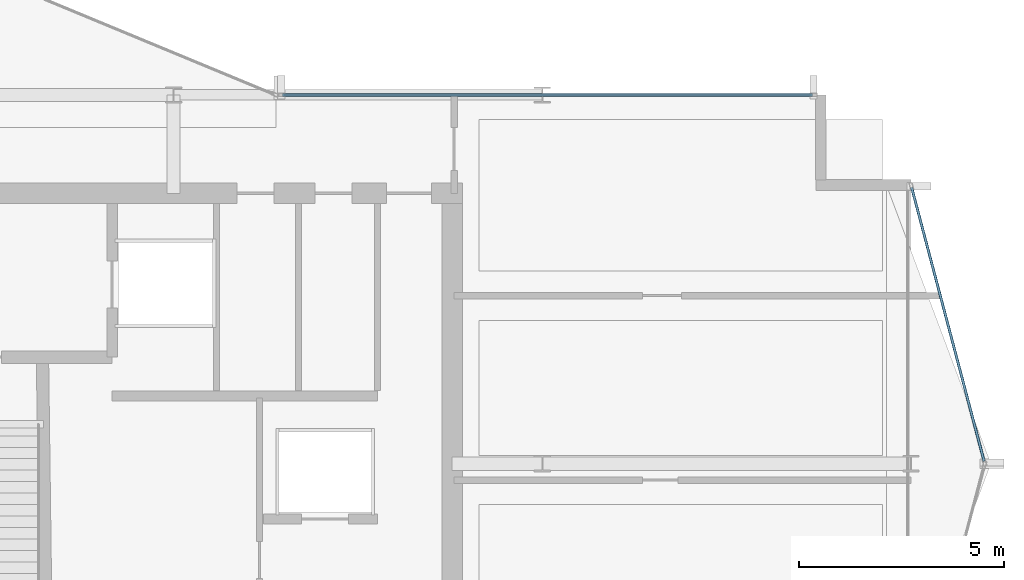
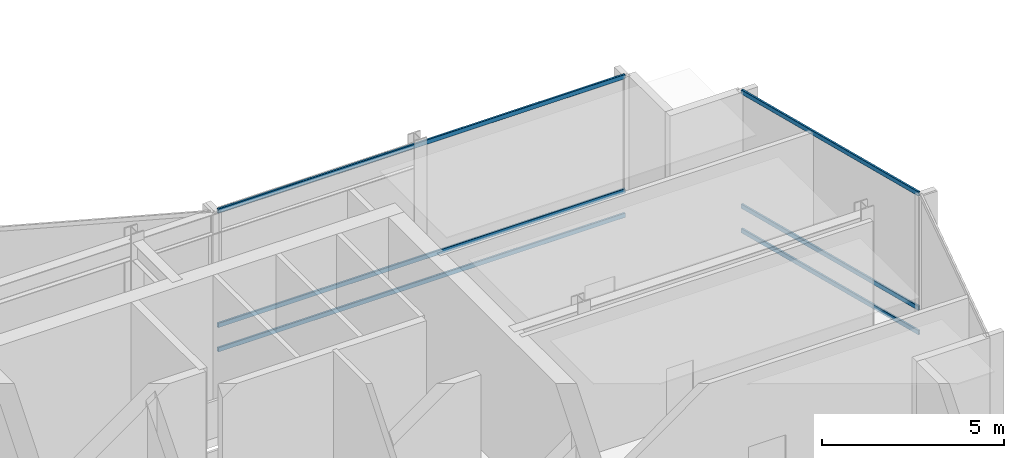
# One storey, part 13 of 28: 6 members, 2 elements without a shape of their own.
"""IFC4 building model written with IfcOpenShell, lengths in metres."""

import ifcopenshell
import ifcopenshell.guid

model = None  # the IFC model being written
_history = None  # IfcOwnerHistory: only IFC2X3 demands one
_inside = {}  # id of a spatial element -> (the spatial element, [elements in it])
_under = {}  # id of a project, library or spatial element -> (it, [spatial elements below it])
_declared = {}  # id of a project -> (the project, [libraries it declares])
_typed = {}  # id of a type object -> (the type object, [elements of that type])
_made_of = {}  # id of a material, layer set ... -> (it, [elements and type objects made of it])


def new_model(schema):
    """Start an empty IFC model of exactly this schema.

    Asked for "IFC4X3", IfcOpenShell would pick the latest addendum, in which some entities
    have other attributes; the version numbers below select the first issue.
    IFC2X3 requires an IfcOwnerHistory on every rooted entity: one is made here for all.
    """
    global model, _history
    if schema == "IFC4X3":
        model = ifcopenshell.file(schema_version=(4, 3, 0, 0))
    else:
        model = ifcopenshell.file(schema=schema)
    _inside.clear()
    _under.clear()
    _declared.clear()
    _typed.clear()
    _made_of.clear()
    _history = None
    if model.schema == "IFC2X3":
        org = make("IfcOrganization", Name="unknown")
        user = make(
            "IfcPersonAndOrganization",
            ThePerson=make("IfcPerson", FamilyName="unknown"),
            TheOrganization=org,
        )
        app = make(
            "IfcApplication",
            ApplicationDeveloper=org,
            Version="unknown",
            ApplicationFullName="unknown",
            ApplicationIdentifier="unknown",
        )
        _history = make(
            "IfcOwnerHistory",
            OwningUser=user,
            OwningApplication=app,
            ChangeAction="ADDED",
            CreationDate=0,
        )
    return model


def make(cls, **values):
    """One entity of the class cls with the attributes given. An attribute that is None is left unset."""
    return model.create_entity(
        cls, **{name: value for name, value in values.items() if value is not None}
    )


def rooted(cls, **values):
    """An entity with a GlobalId (a new one), such as an element, a storey or a relation."""
    return make(cls, GlobalId=ifcopenshell.guid.new(), OwnerHistory=_history, **values)


def si_unit(unit_type, name, prefix=None):
    """IfcSIUnit, for example si_unit("LENGTHUNIT", "METRE", prefix="MILLI")."""
    return make("IfcSIUnit", UnitType=unit_type, Prefix=prefix, Name=name)


def assignment(units):
    """IfcUnitAssignment: the units of a project."""
    return None if units is None else make("IfcUnitAssignment", Units=units)


def point(xyz):
    """IfcCartesianPoint."""
    return None if xyz is None else make("IfcCartesianPoint", Coordinates=xyz)


def direction(xyz):
    """IfcDirection."""
    return None if xyz is None else make("IfcDirection", DirectionRatios=xyz)


def frame(location, z_axis=None, x_axis=None):
    """IfcAxis2Placement3D, a coordinate frame: its origin and axes. An axis left out is left unset."""
    return make(
        "IfcAxis2Placement3D",
        Location=point(location),
        Axis=direction(z_axis),
        RefDirection=direction(x_axis),
    )


def frame_2d(location, x_axis=None):
    """IfcAxis2Placement2D, a coordinate frame in the plane: its origin and x axis."""
    return make(
        "IfcAxis2Placement2D", Location=point(location), RefDirection=direction(x_axis)
    )


def origin():
    """The frame at (0, 0, 0) with its axes left unset."""
    return frame((0.0, 0.0, 0.0))


def origin_2d():
    """The frame at (0, 0) in the plane with its x axis left unset."""
    return frame_2d((0.0, 0.0))


def place(relative_to, where):
    """IfcLocalPlacement: puts the frame where relative to a parent placement (None: the world)."""
    return make(
        "IfcLocalPlacement", PlacementRelTo=relative_to, RelativePlacement=where
    )


def context(
    kind, dimensions, precision=None, world=None, true_north=None, identifier=None
):
    """IfcGeometricRepresentationContext, for example the 3D "Model" context."""
    return make(
        "IfcGeometricRepresentationContext",
        ContextIdentifier=identifier,
        ContextType=kind,
        CoordinateSpaceDimension=dimensions,
        Precision=precision,
        WorldCoordinateSystem=world,
        TrueNorth=true_north,
    )


def subcontext(parent, identifier, kind, view, scale=None):
    """IfcGeometricRepresentationSubContext, for example "Body" below "Model"."""
    return make(
        "IfcGeometricRepresentationSubContext",
        ContextIdentifier=identifier,
        ContextType=kind,
        ParentContext=parent,
        TargetScale=scale,
        TargetView=view,
    )


def project(units=None, contexts=None):
    """IfcProject with its units and contexts."""
    return rooted(
        "IfcProject",
        Name="project",
        RepresentationContexts=contexts,
        UnitsInContext=assignment(units),
    )


def spatial(cls, under=None, at=None, **own):
    """A site, building, storey or space (cls), placed at a placement, below another one or the project."""
    s = rooted(cls, ObjectPlacement=at, **own)
    if under is not None:
        _under.setdefault(under.id(), (under, []))[1].append(s)
    return s


def profile(cls, at=None, kind="AREA", **sizes):
    """A parametric profile (cls). Its sizes go by their IFC names, for example OverallWidth=200.0."""
    return make(cls, ProfileType=kind, Position=at, **sizes)


def hollow_rectangle(**sizes):
    """IfcRectangleHollowProfileDef."""
    return profile("IfcRectangleHollowProfileDef", **sizes)


def extrude(swept, where, along, depth):
    """IfcExtrudedAreaSolid: the profile swept, set in the frame where, extruded along a direction by depth."""
    return make(
        "IfcExtrudedAreaSolid",
        SweptArea=swept,
        Position=where,
        ExtrudedDirection=direction(along),
        Depth=depth,
    )


def shape(context_of_items, identifier, shape_type, items):
    """IfcShapeRepresentation: the items that make up one representation, for example the "Body"."""
    return make(
        "IfcShapeRepresentation",
        ContextOfItems=context_of_items,
        RepresentationIdentifier=identifier,
        RepresentationType=shape_type,
        Items=items,
    )


def material(Name=None, Category=None):
    """IfcMaterial."""
    return make("IfcMaterial", Name=Name, Category=Category)


def layer(
    of_material, thickness, ventilated=None, Name=None, Category=None, Priority=None
):
    """IfcMaterialLayer: one layer of a wall or slab, of a material (None: an air gap)."""
    return make(
        "IfcMaterialLayer",
        Material=of_material,
        LayerThickness=thickness,
        IsVentilated=ventilated,
        Name=Name,
        Category=Category,
        Priority=Priority,
    )


def layer_set(layers, Name=None):
    """IfcMaterialLayerSet."""
    return make("IfcMaterialLayerSet", MaterialLayers=layers, LayerSetName=Name)


def material_profile(
    of_material, cross_section, Name=None, Category=None, Priority=None
):
    """IfcMaterialProfile: a cross section and its material."""
    return make(
        "IfcMaterialProfile",
        Name=Name,
        Material=of_material,
        Profile=cross_section,
        Priority=Priority,
        Category=Category,
    )


def profile_set(profiles, Name=None, composite=None):
    """IfcMaterialProfileSet."""
    return make(
        "IfcMaterialProfileSet",
        Name=Name,
        MaterialProfiles=profiles,
        CompositeProfile=composite,
    )


def made_of(thing, what):
    """Note that an element or type object is made of a material, layer set ...; save() writes the relation."""
    if what is not None:
        _made_of.setdefault(what.id(), (what, []))[1].append(thing)
    return thing


def type_object(cls, material=None, **own):
    """A type object (cls), such as IfcWallType, which elements share."""
    return made_of(rooted(cls, **own), material)


def element(
    cls,
    number,
    at=None,
    inside=None,
    cuts=None,
    type_object=None,
    material=None,
    context=None,
    identifier="Body",
    shape_type=None,
    held_by="IfcProductDefinitionShape",
    body=None,
    shapes=None,
    **own,
):
    """One element of the class cls, such as IfcWall. Its Tag is "e" and its number.

    at: its placement. inside: the storey or other place that contains it. cuts: it is an
    opening in that element (IfcRelVoidsElement). A single representation is given by context,
    identifier, shape_type and body (its items); several are given by shapes. held_by: the class
    of the entity that holds the representations. save() writes the other relations.
    """
    e = rooted(cls, Tag="e%d" % number, ObjectPlacement=at, **own)
    if body is not None:
        shapes = [shape(context, identifier, shape_type, body)]
    if shapes is not None:
        e.Representation = make(held_by, Representations=shapes)
    if inside is not None:
        _inside.setdefault(inside.id(), (inside, []))[1].append(e)
    if cuts is not None:
        rooted(
            "IfcRelVoidsElement", RelatingBuildingElement=cuts, RelatedOpeningElement=e
        )
    if type_object is not None:
        _typed.setdefault(type_object.id(), (type_object, []))[1].append(e)
    return made_of(e, material)


def aggregate(whole, parts):
    """IfcRelAggregates: a whole, such as a stair, and the parts it consists of."""
    return rooted("IfcRelAggregates", RelatingObject=whole, RelatedObjects=parts)


def save(model, path):
    """Write the relations noted so far, then the file.

    IfcRelAggregates (storeys below a building ...), IfcRelContainedInSpatialStructure (elements
    in a storey), IfcRelDefinesByType, IfcRelAssociatesMaterial and IfcRelDeclares: one each for
    every whole, place, type object, material and project.
    """
    for whole, parts in _under.values():
        aggregate(whole, parts)
    for where, things in _inside.values():
        rooted(
            "IfcRelContainedInSpatialStructure",
            RelatedElements=things,
            RelatingStructure=where,
        )
    for kind, things in _typed.values():
        rooted("IfcRelDefinesByType", RelatedObjects=things, RelatingType=kind)
    for what, things in _made_of.values():
        rooted("IfcRelAssociatesMaterial", RelatedObjects=things, RelatingMaterial=what)
    for by, libraries in _declared.values():
        rooted("IfcRelDeclares", RelatingContext=by, RelatedDefinitions=libraries)
    model.write(path)


model = new_model("IFC4")

# Units and contexts
model_context = context("Model", 3, precision=1e-05, world=origin(), true_north=direction((0.0, 1.0)))
body_context = subcontext(model_context, "Body", "Model", "MODEL_VIEW")
ifc_project = project(units=[si_unit("LENGTHUNIT", "METRE"), si_unit("AREAUNIT", "SQUARE_METRE"), si_unit("VOLUMEUNIT", "CUBIC_METRE"), si_unit("PLANEANGLEUNIT", "RADIAN"), si_unit("MASSUNIT", "GRAM", prefix="KILO")], contexts=[model_context])

# Site, building, storey
site_placement = place(None, origin())
site = spatial("IfcSite", under=ifc_project, at=site_placement, CompositionType="ELEMENT")
building_placement = place(site_placement, origin())
building = spatial("IfcBuilding", under=site, at=building_placement, Name="Solvaryn Broadcast Tower", CompositionType="ELEMENT")
storey_placement = place(building_placement, frame((0.0, 0.0, 201.199951171875)))
storey = spatial("IfcBuildingStorey", under=building, at=storey_placement, Name="L50", CompositionType="ELEMENT", Elevation=201.199951171875)

# Curtain wall, members
ifc_material_1 = material(Name="Aluminium and Terracotta Unitised Curtain Wall", Category="masonry")
ifc_layer = layer(ifc_material_1, 0.199951171875)
ifc_layer_set = layer_set([ifc_layer], Name="CW-SYS2-LOWMID")
curtain_wall_type = type_object("IfcCurtainWallType", Name="CW-SYS2-LOWMID", PredefinedType="NOTDEFINED", material=ifc_layer_set)
curtain_wall_1_placement = place(storey_placement, origin())
curtain_wall_1 = element("IfcCurtainWall", 1, at=curtain_wall_1_placement, inside=storey, type_object=curtain_wall_type, Name="L50 Curtain Wall ET1", PredefinedType="NOTDEFINED")
ifc_material_2 = material(Name="Anodised Aluminium 6063-T6", Category="aluminium")
ifc_material_profile = material_profile(ifc_material_2, hollow_rectangle(XDim=0.06494140625, YDim=0.14990234375, WallThickness=0.00390625, InnerFilletRadius=0.00390625, OuterFilletRadius=0.008056640625, at=origin_2d()))
ifc_profile_set = profile_set([ifc_material_profile], Name="Anodised Aluminium 6063-T6")
member_type = type_object("IfcMemberType", Name="CW-TRN-150", PredefinedType="USERDEFINED", material=ifc_profile_set)
member_1_placement = place(storey_placement, frame((54.015380859375, 24.741943359375, 0.030029296875), z_axis=(0.255897413051, -0.966703943301, 0.0), x_axis=(0.966703943301, 0.255897413051, 0.0)))
member_1 = element("IfcMember", 2, at=member_1_placement, type_object=member_type, Name="CWS2 transom 1.1", ObjectType="TRANSOM", PredefinedType="USERDEFINED", context=body_context, shape_type="SweptSolid", body=[
    extrude(hollow_rectangle(XDim=0.06494140625, YDim=0.14990234375, WallThickness=0.00390625, InnerFilletRadius=0.00390625, OuterFilletRadius=0.008056640625, at=origin_2d()), origin(), (0.0, 0.0, 1.0), 6.9140625),
])
member_2_placement = place(storey_placement, frame((54.015380859375, 24.741943359375, 0.85009765625), z_axis=(0.255897413051, -0.966703943301, 0.0), x_axis=(0.966703943301, 0.255897413051, 0.0)))
member_2 = element("IfcMember", 3, at=member_2_placement, type_object=member_type, Name="CWS2 transom 1.2", ObjectType="TRANSOM", PredefinedType="USERDEFINED", context=body_context, shape_type="SweptSolid", body=[
    extrude(hollow_rectangle(XDim=0.06494140625, YDim=0.14990234375, WallThickness=0.00390625, InnerFilletRadius=0.00390625, OuterFilletRadius=0.008056640625, at=origin_2d()), origin(), (0.0, 0.0, 1.0), 6.9140625),
])
member_3_placement = place(storey_placement, frame((54.015380859375, 24.741943359375, 4.68994140625), z_axis=(0.255897413051, -0.966703943301, 0.0), x_axis=(0.966703943301, 0.255897413051, 0.0)))
member_3 = element("IfcMember", 4, at=member_3_placement, type_object=member_type, Name="CWS2 transom 1.3", ObjectType="TRANSOM", PredefinedType="USERDEFINED", context=body_context, shape_type="SweptSolid", body=[
    extrude(hollow_rectangle(XDim=0.06494140625, YDim=0.14990234375, WallThickness=0.00390625, InnerFilletRadius=0.00390625, OuterFilletRadius=0.008056640625, at=origin_2d()), origin(), (0.0, 0.0, 1.0), 6.9140625),
])
aggregate(curtain_wall_1, [member_1, member_2, member_3])

curtain_wall_2_placement = place(storey_placement, origin())
curtain_wall_2 = element("IfcCurtainWall", 5, at=curtain_wall_2_placement, inside=storey, type_object=curtain_wall_type, Name="L50 Curtain Wall IH", PredefinedType="NOTDEFINED")
member_4_placement = place(storey_placement, frame((38.659912109375, 27.0, 0.030029296875), z_axis=(1.0, 0.0, 0.0), x_axis=(0.0, 1.0, 0.0)))
member_4 = element("IfcMember", 6, at=member_4_placement, type_object=member_type, Name="CWS2 transom 1.1", ObjectType="TRANSOM", PredefinedType="USERDEFINED", context=body_context, shape_type="SweptSolid", body=[
    extrude(hollow_rectangle(XDim=0.06494140625, YDim=0.14990234375, WallThickness=0.00390625, InnerFilletRadius=0.00390625, OuterFilletRadius=0.008056640625, at=origin_2d()), origin(), (0.0, 0.0, 1.0), 12.93017578125),
])
member_5_placement = place(storey_placement, frame((38.659912109375, 27.0, 0.85009765625), z_axis=(1.0, 0.0, 0.0), x_axis=(0.0, 1.0, 0.0)))
member_5 = element("IfcMember", 7, at=member_5_placement, type_object=member_type, Name="CWS2 transom 1.2", ObjectType="TRANSOM", PredefinedType="USERDEFINED", context=body_context, shape_type="SweptSolid", body=[
    extrude(hollow_rectangle(XDim=0.06494140625, YDim=0.14990234375, WallThickness=0.00390625, InnerFilletRadius=0.00390625, OuterFilletRadius=0.008056640625, at=origin_2d()), origin(), (0.0, 0.0, 1.0), 12.93017578125),
])
member_6_placement = place(storey_placement, frame((38.659912109375, 27.0, 4.68994140625), z_axis=(1.0, 0.0, 0.0), x_axis=(0.0, 1.0, 0.0)))
member_6 = element("IfcMember", 8, at=member_6_placement, type_object=member_type, Name="CWS2 transom 1.3", ObjectType="TRANSOM", PredefinedType="USERDEFINED", context=body_context, shape_type="SweptSolid", body=[
    extrude(hollow_rectangle(XDim=0.06494140625, YDim=0.14990234375, WallThickness=0.00390625, InnerFilletRadius=0.00390625, OuterFilletRadius=0.008056640625, at=origin_2d()), origin(), (0.0, 0.0, 1.0), 12.93017578125),
])
aggregate(curtain_wall_2, [member_4, member_5, member_6])

save(model, "model.ifc")
